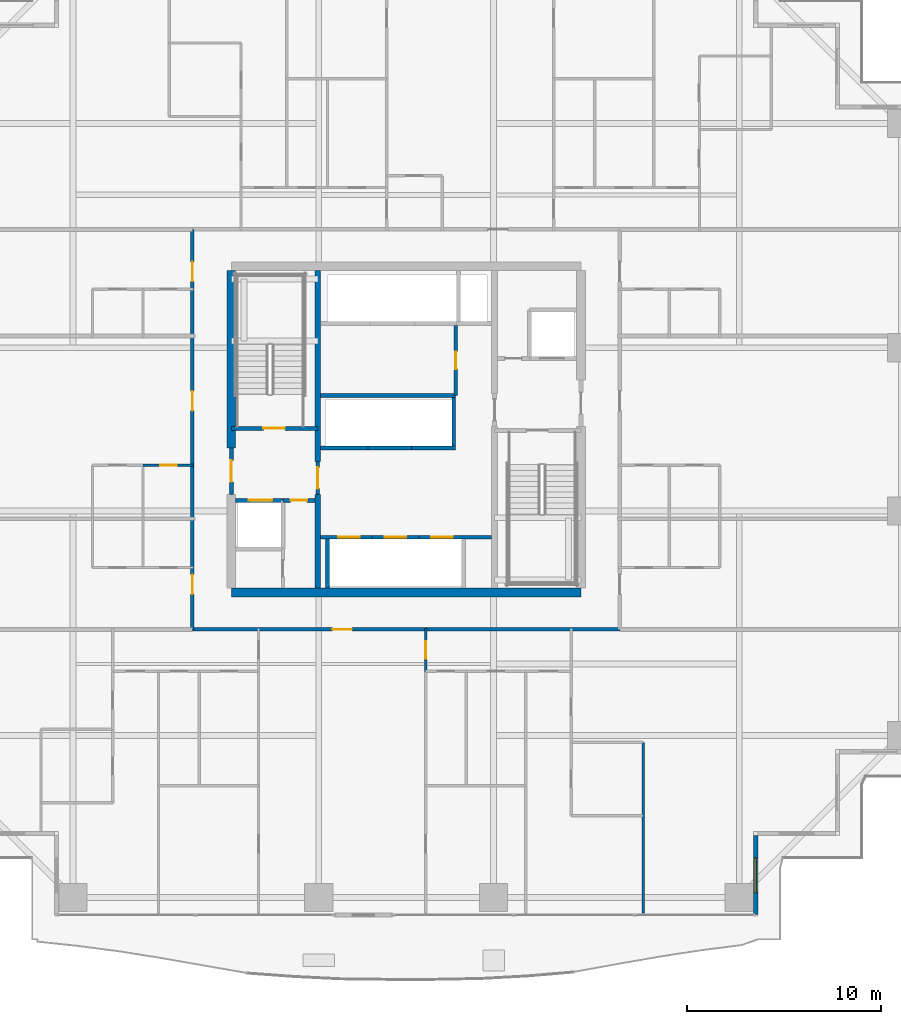
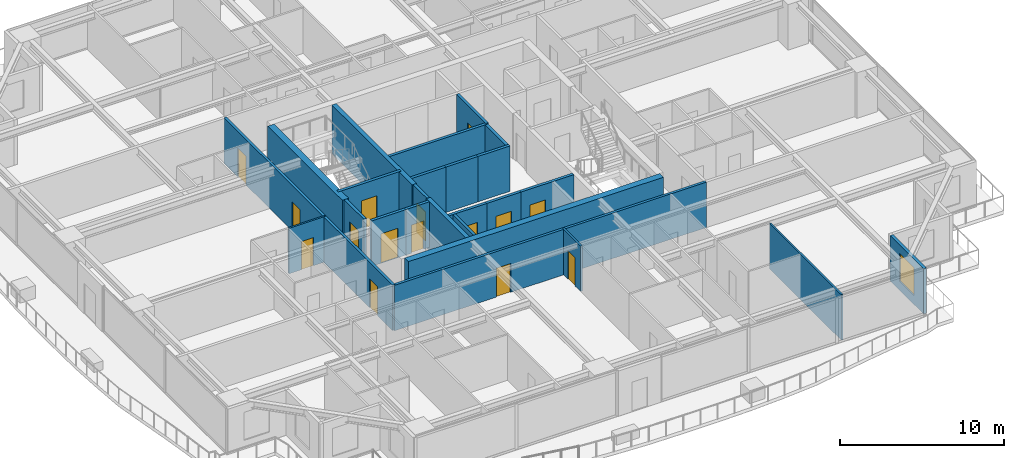
# One storey, part 28 of 40: 25 walls, 15 doors, 1 window, 16 openings.
"""IFC4 building model written with IfcOpenShell, lengths in metres."""

from ifc_helpers import new_model, si_unit, direction, frame, frame_2d, origin, place, context, subcontext, project, spatial, rectangle, extrude, source, transform, mapped, material, layer, layer_set, type_object, element, fill, save


model = new_model("IFC4")

# Units and contexts
model_context = context("Model", 3, precision=1e-05, world=origin(), true_north=direction((0.0, 1.0)))
body_context = subcontext(model_context, "Body", "Model", "MODEL_VIEW")
ifc_project = project(units=[si_unit("LENGTHUNIT", "METRE"), si_unit("AREAUNIT", "SQUARE_METRE"), si_unit("VOLUMEUNIT", "CUBIC_METRE"), si_unit("PLANEANGLEUNIT", "RADIAN"), si_unit("MASSUNIT", "GRAM", prefix="KILO")], contexts=[model_context])

# Site, building, storey
site_placement = place(None, origin())
site = spatial("IfcSite", under=ifc_project, at=site_placement, CompositionType="ELEMENT")
building_placement = place(site_placement, origin())
building = spatial("IfcBuilding", under=site, at=building_placement, Name="Serunith Strait Residences", CompositionType="ELEMENT")
storey_placement = place(building_placement, frame((0.0, 0.0, 105.449951171875)))
storey = spatial("IfcBuildingStorey", under=building, at=storey_placement, Name="L26", CompositionType="ELEMENT", Elevation=105.449951171875)

# Wall, opening, window
ifc_material_1 = material(Name="Pale-Champagne Aluminium Insulated Panel", Category="aluminium")
ifc_layer_1 = layer(ifc_material_1, 0.219970703125, Name="Pale-Champagne Aluminium Insulated Panel")
ifc_layer_set_1 = layer_set([ifc_layer_1], Name="Pale-Champagne Aluminium Insulated Panel")
wall_type_1 = type_object("IfcWallType", Name="EW-ALUM-220", PredefinedType="ELEMENTEDWALL", material=ifc_layer_set_1)
wall_1_placement = place(storey_placement, frame((50.39990234375, 0.199951171875, 0.0), z_axis=(0.0, 0.0, 1.0), x_axis=(0.0, 1.0, 0.0)))
wall_1 = element("IfcWall", 1, at=wall_1_placement, inside=storey, type_object=wall_type_1, Name="L26 Girih Serrated Corner Wall 02", PredefinedType="ELEMENTEDWALL", context=body_context, shape_type="SweptSolid", body=[
    extrude(rectangle(XDim=4.090087890625, YDim=0.219970703125, at=frame_2d((2.044921875, 0.0))), origin(), (0.0, 0.0, 1.0), 3.375),
])
opening_1_placement = place(wall_1_placement, frame((1.14501953125, 0.0, 0.64990234375)))
opening_1 = element("IfcOpeningElement", 2, at=opening_1_placement, cuts=wall_1, Name="Opening W-01", PredefinedType="OPENING", context=body_context, shape_type="SweptSolid", body=[
    extrude(rectangle(XDim=1.800048828125, YDim=2.10009765625, at=frame_2d((0.89990234375, 1.050048828125))), frame((0.0, 0.1201171875, 0.0), z_axis=(0.0, -1.0, 0.0), x_axis=(1.0, 0.0, 0.0)), (0.0, 0.0, 1.0), 0.239990234375),
])
ifc_material_2 = material(Name="Ceramic-Fritted Operable Aluminium Window Glass", Category="aluminium")
window_type = type_object("IfcWindowType", Name="WIN-C1", PartitioningType="DOUBLE_PANEL_VERTICAL", PredefinedType="WINDOW", material=ifc_material_2)
shared_shape_1 = source(origin(), body_context, "Body", "SweptSolid", [
    extrude(rectangle(XDim=1.800048828125, YDim=2.10009765625, at=frame_2d((0.89990234375, 1.050048828125))), frame((0.0, 0.030029296875, 0.0), z_axis=(0.0, -1.0, 0.0), x_axis=(1.0, 0.0, 0.0)), (0.0, 0.0, 1.0), 0.06005859375),
])
window_placement = place(opening_1_placement, origin())
window = element("IfcWindow", 3, at=window_placement, inside=storey, type_object=window_type, Name="L26 Corner Operable Fritted Window 02", OverallHeight=2.10009765625, OverallWidth=1.800048828125, PartitioningType="SINGLE_PANEL", PredefinedType="WINDOW", context=body_context, shape_type="MappedRepresentation", body=[
    mapped(shared_shape_1, transform((0.0, 0.0, 0.0), scale=1.0)),
])
fill(opening_1, window)

# Wall, opening, door
ifc_material_3 = material(Name="Fire-rated acoustic gypsum partition")
ifc_layer_2 = layer(ifc_material_3, 0.179931640625, Name="Fire-rated acoustic gypsum partition")
ifc_layer_set_2 = layer_set([ifc_layer_2], Name="Fire-rated acoustic gypsum partition")
wall_type_2 = type_object("IfcWallType", Name="IW-CORR-180", PredefinedType="PARTITIONING", material=ifc_layer_set_2)
wall_2_placement = place(storey_placement, frame((21.402099609375, 14.89990234375, 0.0), z_axis=(0.0, 0.0, 1.0), x_axis=(1.0, 0.0, 0.0)))
wall_2 = element("IfcWall", 4, at=wall_2_placement, inside=storey, type_object=wall_type_2, Name="L26 Partition Wall 022", PredefinedType="PARTITIONING", context=body_context, shape_type="SweptSolid", body=[
    extrude(rectangle(XDim=21.995849609375, YDim=0.179931640625, at=frame_2d((10.998046875, 0.0))), origin(), (0.0, 0.0, 1.0), 3.39013671875),
])
opening_2_placement = place(wall_2_placement, frame((7.201904296875, 0.0, 0.0)))
opening_2 = element("IfcOpeningElement", 5, at=opening_2_placement, cuts=wall_2, Name="Opening D-APT1000", PredefinedType="OPENING", context=body_context, shape_type="SweptSolid", body=[
    extrude(rectangle(XDim=1.0, YDim=2.14990234375, at=frame_2d((0.5, 1.074951171875))), frame((0.0, 0.10009765625, 0.0), z_axis=(0.0, -1.0, 0.0), x_axis=(1.0, 0.0, 0.0)), (0.0, 0.0, 1.0), 0.199951171875),
])
ifc_material_4 = material(Name="Solid timber engineered fire door", Category="wood")
door_type_1 = type_object("IfcDoorType", Name="ID-APT-1000", OperationType="NOTDEFINED", PredefinedType="DOOR", material=ifc_material_4)
shared_shape_2 = source(origin(), body_context, "Body", "SweptSolid", [
    extrude(rectangle(XDim=1.0, YDim=2.14990234375, at=frame_2d((0.5, 1.074951171875))), frame((0.0, 0.02490234375, 0.0), z_axis=(0.0, -1.0, 0.0), x_axis=(1.0, 0.0, 0.0)), (0.0, 0.0, 1.0), 0.050048828125),
])
door_1_placement = place(opening_2_placement, origin())
door_1 = element("IfcDoor", 6, at=door_1_placement, inside=storey, type_object=door_type_1, Name="L26 Unit 01 Entrance Door", OperationType="SINGLE_SWING_RIGHT", OverallHeight=2.14990234375, OverallWidth=1.0, PredefinedType="DOOR", context=body_context, shape_type="MappedRepresentation", body=[
    mapped(shared_shape_2, transform((0.0, 0.0, 0.0), scale=1.0)),
])
fill(opening_2, door_1)

# Wall, openings, doors
wall_3_placement = place(storey_placement, frame((21.39990234375, 14.89990234375, 0.0), z_axis=(0.0, 0.0, 1.0), x_axis=(0.0, 1.0, 0.0)))
wall_3 = element("IfcWall", 7, at=wall_3_placement, inside=storey, type_object=wall_type_2, Name="L26 Partition Wall 024", PredefinedType="PARTITIONING", context=body_context, shape_type="SweptSolid", body=[
    extrude(rectangle(XDim=20.60009765625, YDim=0.179931640625, at=frame_2d((10.300048828125, 0.0))), origin(), (0.0, 0.0, 1.0), 3.39013671875),
])
opening_3_placement = place(wall_3_placement, frame((1.820068359375, 0.0, 0.0)))
opening_3 = element("IfcOpeningElement", 8, at=opening_3_placement, cuts=wall_3, Name="Opening D-APT1000", PredefinedType="OPENING", context=body_context, shape_type="SweptSolid", body=[
    extrude(rectangle(XDim=1.0, YDim=2.14990234375, at=frame_2d((0.5, 1.074951171875))), frame((0.0, 0.10009765625, 0.0), z_axis=(0.0, -1.0, 0.0), x_axis=(1.0, 0.0, 0.0)), (0.0, 0.0, 1.0), 0.199951171875),
])
opening_4_placement = place(wall_3_placement, frame((11.27001953125, 0.0, 0.0)))
opening_4 = element("IfcOpeningElement", 9, at=opening_4_placement, cuts=wall_3, Name="Opening D-APT1000", PredefinedType="OPENING", context=body_context, shape_type="SweptSolid", body=[
    extrude(rectangle(XDim=1.0, YDim=2.14990234375, at=frame_2d((0.5, 1.074951171875))), frame((0.0, 0.10009765625, 0.0), z_axis=(0.0, -1.0, 0.0), x_axis=(1.0, 0.0, 0.0)), (0.0, 0.0, 1.0), 0.199951171875),
])
opening_5_placement = place(wall_3_placement, frame((17.919921875, 0.0, 0.0)))
opening_5 = element("IfcOpeningElement", 10, at=opening_5_placement, cuts=wall_3, Name="Opening D-APT1000", PredefinedType="OPENING", context=body_context, shape_type="SweptSolid", body=[
    extrude(rectangle(XDim=1.0, YDim=2.14990234375, at=frame_2d((0.5, 1.074951171875))), frame((0.0, 0.10009765625, 0.0), z_axis=(0.0, -1.0, 0.0), x_axis=(1.0, 0.0, 0.0)), (0.0, 0.0, 1.0), 0.199951171875),
])
door_2_placement = place(opening_3_placement, origin())
door_2 = element("IfcDoor", 11, at=door_2_placement, inside=storey, type_object=door_type_1, Name="L26 Unit 03 Entrance Door", OperationType="SINGLE_SWING_RIGHT", OverallHeight=2.14990234375, OverallWidth=1.0, PredefinedType="DOOR", context=body_context, shape_type="MappedRepresentation", body=[
    mapped(shared_shape_2, transform((0.0, 0.0, 0.0), scale=1.0)),
])
fill(opening_3, door_2)
door_3_placement = place(opening_4_placement, origin())
door_3 = element("IfcDoor", 12, at=door_3_placement, inside=storey, type_object=door_type_1, Name="L26 Unit 04 Entrance Door", OperationType="SINGLE_SWING_LEFT", OverallHeight=2.14990234375, OverallWidth=1.0, PredefinedType="DOOR", context=body_context, shape_type="MappedRepresentation", body=[
    mapped(shared_shape_2, transform((0.0, 0.0, 0.0), scale=1.0)),
])
fill(opening_4, door_3)
door_4_placement = place(opening_5_placement, origin())
door_4 = element("IfcDoor", 13, at=door_4_placement, inside=storey, type_object=door_type_1, Name="L26 Unit 05 Entrance Door", OperationType="SINGLE_SWING_RIGHT", OverallHeight=2.14990234375, OverallWidth=1.0, PredefinedType="DOOR", context=body_context, shape_type="MappedRepresentation", body=[
    mapped(shared_shape_2, transform((0.0, 0.0, 0.0), scale=1.0)),
])
fill(opening_5, door_4)

# Wall, opening, door
ifc_material_5 = material(Name="Lightweight steel-stud gypsum partition", Category="steel")
ifc_layer_3 = layer(ifc_material_5, 0.1201171875, Name="Lightweight steel-stud gypsum partition")
ifc_layer_set_3 = layer_set([ifc_layer_3], Name="Lightweight steel-stud gypsum partition")
wall_type_3 = type_object("IfcWallType", Name="IW-PART-120", PredefinedType="PARTITIONING", material=ifc_layer_set_3)
wall_4_placement = place(storey_placement, frame((33.39990234375, 12.75, 0.0), z_axis=(0.0, 0.0, 1.0), x_axis=(0.0, 1.0, 0.0)))
wall_4 = element("IfcWall", 14, at=wall_4_placement, inside=storey, type_object=wall_type_3, Name="L26 Partition Wall 041", PredefinedType="PARTITIONING", context=body_context, shape_type="SweptSolid", body=[
    extrude(rectangle(XDim=2.2099609375, YDim=0.1201171875, at=frame_2d((1.10498046875, 0.0))), origin(), (0.0, 0.0, 1.0), 3.39013671875),
])
opening_6_placement = place(wall_4_placement, frame((0.655029296875, 0.0, 0.0)))
opening_6 = element("IfcOpeningElement", 15, at=opening_6_placement, cuts=wall_4, Name="Opening D-RM900", PredefinedType="OPENING", context=body_context, shape_type="SweptSolid", body=[
    extrude(rectangle(XDim=0.89990234375, YDim=2.10009765625, at=frame_2d((0.449951171875, 1.050048828125))), frame((0.0, 0.070068359375, 0.0), z_axis=(0.0, -1.0, 0.0), x_axis=(1.0, 0.0, 0.0)), (0.0, 0.0, 1.0), 0.14013671875),
])
ifc_material_6 = material(Name="Engineered timber flush bedroom door", Category="wood")
door_type_2 = type_object("IfcDoorType", Name="ID-ROOM-900", OperationType="NOTDEFINED", PredefinedType="DOOR", material=ifc_material_6)
shared_shape_3 = source(origin(), body_context, "Body", "SweptSolid", [
    extrude(rectangle(XDim=0.89990234375, YDim=2.10009765625, at=frame_2d((0.449951171875, 1.050048828125))), frame((0.0, 0.02490234375, 0.0), z_axis=(0.0, -1.0, 0.0), x_axis=(1.0, 0.0, 0.0)), (0.0, 0.0, 1.0), 0.050048828125),
])
door_5_placement = place(opening_6_placement, origin())
door_5 = element("IfcDoor", 16, at=door_5_placement, inside=storey, type_object=door_type_2, Name="L26 Hall E 2601 Door", OperationType="SINGLE_SWING_LEFT", OverallHeight=2.10009765625, OverallWidth=0.89990234375, PredefinedType="DOOR", context=body_context, shape_type="MappedRepresentation", body=[
    mapped(shared_shape_3, transform((0.0, 0.0, 0.0), scale=1.0)),
])
fill(opening_6, door_5)

# Wall
wall_5_placement = place(storey_placement, frame((44.60009765625, 0.294921875, 0.0), z_axis=(0.0, 0.0, 1.0), x_axis=(0.0, 1.0, 0.0)))
element("IfcWall", 17, at=wall_5_placement, inside=storey, type_object=wall_type_3, Name="L26 Partition Wall 051", PredefinedType="PARTITIONING", context=body_context, shape_type="SweptSolid", body=[
    extrude(rectangle(XDim=8.798095703125, YDim=0.1201171875, at=frame_2d((4.39892578125, 0.0))), origin(), (0.0, 0.0, 1.0), 3.39013671875),
])

# Wall, opening, door
wall_6_placement = place(storey_placement, frame((18.85205078125, 23.35009765625, 0.0), z_axis=(0.0, 0.0, 1.0), x_axis=(1.0, 0.0, 0.0)))
wall_6 = element("IfcWall", 18, at=wall_6_placement, inside=storey, type_object=wall_type_3, Name="L26 Partition Wall 093", PredefinedType="PARTITIONING", context=body_context, shape_type="SweptSolid", body=[
    extrude(rectangle(XDim=2.60791015625, YDim=0.1201171875, at=frame_2d((1.303955078125, 0.0))), origin(), (0.0, 0.0, 1.0), 3.39013671875),
])
opening_7_placement = place(wall_6_placement, frame((0.87890625, 0.0, 0.0)))
opening_7 = element("IfcOpeningElement", 19, at=opening_7_placement, cuts=wall_6, Name="Opening D-BTH850", PredefinedType="OPENING", context=body_context, shape_type="SweptSolid", body=[
    extrude(rectangle(XDim=0.85009765625, YDim=2.10009765625, at=frame_2d((0.425048828125, 1.050048828125))), frame((0.0, 0.070068359375, 0.0), z_axis=(0.0, -1.0, 0.0), x_axis=(1.0, 0.0, 0.0)), (0.0, 0.0, 1.0), 0.14013671875),
])
ifc_material_7 = material(Name="Moisture-resistant timber bathroom door", Category="wood")
door_type_3 = type_object("IfcDoorType", Name="ID-BATH-850", OperationType="NOTDEFINED", PredefinedType="DOOR", material=ifc_material_7)
shared_shape_4 = source(origin(), body_context, "Body", "SweptSolid", [
    extrude(rectangle(XDim=0.85009765625, YDim=2.10009765625, at=frame_2d((0.425048828125, 1.050048828125))), frame((0.0, 0.02490234375, 0.0), z_axis=(0.0, -1.0, 0.0), x_axis=(1.0, 0.0, 0.0)), (0.0, 0.0, 1.0), 0.050048828125),
])
door_6_placement = place(opening_7_placement, origin())
door_6 = element("IfcDoor", 20, at=door_6_placement, inside=storey, type_object=door_type_3, Name="L26 Bathroom 2604 Door", OperationType="SINGLE_SWING_RIGHT", OverallHeight=2.10009765625, OverallWidth=0.85009765625, PredefinedType="DOOR", context=body_context, shape_type="MappedRepresentation", body=[
    mapped(shared_shape_4, transform((0.0, 0.0, 0.0), scale=1.0)),
])
fill(opening_7, door_6)

ifc_material_8 = material(Name="Autoclaved aerated concrete blockwork", Category="masonry")
ifc_layer_4 = layer(ifc_material_8, 0.199951171875, Name="Autoclaved aerated concrete blockwork")
ifc_layer_set_4 = layer_set([ifc_layer_4], Name="Autoclaved aerated concrete blockwork")
wall_type_4 = type_object("IfcWallType", Name="IW-SHAFT-200", PredefinedType="STANDARD", material=ifc_layer_set_4)
wall_7_placement = place(storey_placement, frame((23.39990234375, 25.25, 0.0), z_axis=(0.0, 0.0, 1.0), x_axis=(1.0, 0.0, 0.0)))
wall_7 = element("IfcWall", 21, at=wall_7_placement, inside=storey, type_object=wall_type_4, Name="L26 ST-1 South Shaft Wall", PredefinedType="STANDARD", context=body_context, shape_type="SweptSolid", body=[
    extrude(rectangle(XDim=4.4501953125, YDim=0.199951171875, at=frame_2d((2.22509765625, 0.0))), origin(), (0.0, 0.0, 1.0), 3.39013671875),
])
opening_8_placement = place(wall_7_placement, frame((1.64990234375, 0.0, 0.0)))
opening_8 = element("IfcOpeningElement", 22, at=opening_8_placement, cuts=wall_7, Name="Opening FD-1100", PredefinedType="OPENING", context=body_context, shape_type="SweptSolid", body=[
    extrude(rectangle(XDim=1.10009765625, YDim=2.14990234375, at=frame_2d((0.550048828125, 1.074951171875))), frame((0.0, 0.10986328125, 0.0), z_axis=(0.0, -1.0, 0.0), x_axis=(1.0, 0.0, 0.0)), (0.0, 0.0, 1.0), 0.219970703125),
])
ifc_material_9 = material(Name="Galvanised steel fire door leaf", Category="steel")
door_type_4 = type_object("IfcDoorType", Name="FD-STAIR-1100", OperationType="NOTDEFINED", PredefinedType="DOOR", material=ifc_material_9)
shared_shape_5 = source(origin(), body_context, "Body", "SweptSolid", [
    extrude(rectangle(XDim=1.10009765625, YDim=2.14990234375, at=frame_2d((0.550048828125, 1.074951171875))), frame((0.0, 0.02490234375, 0.0), z_axis=(0.0, -1.0, 0.0), x_axis=(1.0, 0.0, 0.0)), (0.0, 0.0, 1.0), 0.050048828125),
])
door_7_placement = place(opening_8_placement, origin())
door_7 = element("IfcDoor", 23, at=door_7_placement, inside=storey, type_object=door_type_4, Name="L26 ST-1 Escape Stair Door", OperationType="SINGLE_SWING_RIGHT", OverallHeight=2.14990234375, OverallWidth=1.10009765625, PredefinedType="DOOR", context=body_context, shape_type="MappedRepresentation", body=[
    mapped(shared_shape_5, transform((0.0, 0.0, 0.0), scale=1.0)),
])
fill(opening_8, door_7)

wall_8_placement = place(storey_placement, frame((23.625, 21.550048828125, 0.0), z_axis=(0.0, 0.0, 1.0), x_axis=(1.0, 0.0, 0.0)))
wall_8 = element("IfcWall", 24, at=wall_8_placement, inside=storey, type_object=wall_type_4, Name="L26 FL-1 North Shaft Wall", PredefinedType="STANDARD", context=body_context, shape_type="SweptSolid", body=[
    extrude(rectangle(XDim=2.425048828125, YDim=0.199951171875, at=frame_2d((1.21240234375, 0.0))), origin(), (0.0, 0.0, 1.0), 3.39013671875),
])
opening_9_placement = place(wall_8_placement, frame((0.675048828125, 0.0, 0.0)))
opening_9 = element("IfcOpeningElement", 25, at=opening_9_placement, cuts=wall_8, Name="Opening LD-FF1200", PredefinedType="OPENING", context=body_context, shape_type="SweptSolid", body=[
    extrude(rectangle(XDim=1.199951171875, YDim=2.199951171875, at=frame_2d((0.60009765625, 1.10009765625))), frame((0.0, 0.10986328125, 0.0), z_axis=(0.0, -1.0, 0.0), x_axis=(1.0, 0.0, 0.0)), (0.0, 0.0, 1.0), 0.219970703125),
])
ifc_material_10 = material(Name="Brushed stainless steel landing door", Category="steel")
door_type_5 = type_object("IfcDoorType", Name="LD-FF-1200", OperationType="DOUBLE_DOOR_SLIDING", PredefinedType="DOOR", material=ifc_material_10)
shared_shape_6 = source(origin(), body_context, "Body", "SweptSolid", [
    extrude(rectangle(XDim=1.199951171875, YDim=2.199951171875, at=frame_2d((0.60009765625, 1.10009765625))), frame((0.0, 0.02490234375, 0.0), z_axis=(0.0, -1.0, 0.0), x_axis=(1.0, 0.0, 0.0)), (0.0, 0.0, 1.0), 0.050048828125),
])
door_8_placement = place(opening_9_placement, origin())
door_8 = element("IfcDoor", 26, at=door_8_placement, inside=storey, type_object=door_type_5, Name="L26 FL-1 Landing Door", OperationType="DOUBLE_DOOR_SLIDING", OverallHeight=2.199951171875, OverallWidth=1.199951171875, PredefinedType="DOOR", context=body_context, shape_type="MappedRepresentation", body=[
    mapped(shared_shape_6, transform((0.0, 0.0, 0.0), scale=1.0)),
])
fill(opening_9, door_8)

wall_9_placement = place(storey_placement, frame((28.0, 19.64990234375, 0.0), z_axis=(0.0, 0.0, 1.0), x_axis=(1.0, 0.0, 0.0)))
wall_9 = element("IfcWall", 27, at=wall_9_placement, inside=storey, type_object=wall_type_4, Name="L26 PL-1 North Shaft Wall", PredefinedType="STANDARD", context=body_context, shape_type="SweptSolid", body=[
    extrude(rectangle(XDim=2.64990234375, YDim=0.199951171875, at=frame_2d((1.324951171875, 0.0))), origin(), (0.0, 0.0, 1.0), 3.39013671875),
])
opening_10_placement = place(wall_9_placement, frame((0.89990234375, 0.0, 0.0)))
opening_10 = element("IfcOpeningElement", 28, at=opening_10_placement, cuts=wall_9, Name="Opening LD-1100", PredefinedType="OPENING", context=body_context, shape_type="SweptSolid", body=[
    extrude(rectangle(XDim=1.10009765625, YDim=2.199951171875, at=frame_2d((0.550048828125, 1.10009765625))), frame((0.0, 0.10986328125, 0.0), z_axis=(0.0, -1.0, 0.0), x_axis=(1.0, 0.0, 0.0)), (0.0, 0.0, 1.0), 0.219970703125),
])
ifc_material_11 = material(Name="Pale-champagne stainless landing door")
door_type_6 = type_object("IfcDoorType", Name="LD-LIFT-1100", OperationType="DOUBLE_DOOR_SLIDING", PredefinedType="DOOR", material=ifc_material_11)
shared_shape_7 = source(origin(), body_context, "Body", "SweptSolid", [
    extrude(rectangle(XDim=1.10009765625, YDim=2.199951171875, at=frame_2d((0.550048828125, 1.10009765625))), frame((0.0, 0.02490234375, 0.0), z_axis=(0.0, -1.0, 0.0), x_axis=(1.0, 0.0, 0.0)), (0.0, 0.0, 1.0), 0.050048828125),
])
door_9_placement = place(opening_10_placement, origin())
door_9 = element("IfcDoor", 29, at=door_9_placement, inside=storey, type_object=door_type_6, Name="L26 PL-1 Landing Door", OperationType="DOUBLE_DOOR_SLIDING", OverallHeight=2.199951171875, OverallWidth=1.10009765625, PredefinedType="DOOR", context=body_context, shape_type="MappedRepresentation", body=[
    mapped(shared_shape_7, transform((0.0, 0.0, 0.0), scale=1.0)),
])
fill(opening_10, door_9)

# Wall
wall_10_placement = place(storey_placement, frame((28.35009765625, 17.02490234375, 0.0), z_axis=(0.0, 0.0, 1.0), x_axis=(0.0, 1.0, 0.0)))
element("IfcWall", 30, at=wall_10_placement, inside=storey, type_object=wall_type_4, Name="L26 PL-1 West Shaft Wall", PredefinedType="STANDARD", context=body_context, shape_type="SweptSolid", body=[
    extrude(rectangle(XDim=2.525146484375, YDim=0.199951171875, at=frame_2d((1.2626953125, 0.0))), origin(), (0.0, 0.0, 1.0), 3.39013671875),
])

# Wall, opening, door
wall_11_placement = place(storey_placement, frame((30.64990234375, 19.64990234375, 0.0), z_axis=(0.0, 0.0, 1.0), x_axis=(1.0, 0.0, 0.0)))
wall_11 = element("IfcWall", 31, at=wall_11_placement, inside=storey, type_object=wall_type_4, Name="L26 PL-2 North Shaft Wall", PredefinedType="STANDARD", context=body_context, shape_type="SweptSolid", body=[
    extrude(rectangle(XDim=2.400146484375, YDim=0.199951171875, at=frame_2d((1.2001953125, 0.0))), origin(), (0.0, 0.0, 1.0), 3.39013671875),
])
opening_11_placement = place(wall_11_placement, frame((0.64990234375, 0.0, 0.0)))
opening_11 = element("IfcOpeningElement", 32, at=opening_11_placement, cuts=wall_11, Name="Opening LD-1100", PredefinedType="OPENING", context=body_context, shape_type="SweptSolid", body=[
    extrude(rectangle(XDim=1.10009765625, YDim=2.199951171875, at=frame_2d((0.550048828125, 1.10009765625))), frame((0.0, 0.10986328125, 0.0), z_axis=(0.0, -1.0, 0.0), x_axis=(1.0, 0.0, 0.0)), (0.0, 0.0, 1.0), 0.219970703125),
])
door_10_placement = place(opening_11_placement, origin())
door_10 = element("IfcDoor", 33, at=door_10_placement, inside=storey, type_object=door_type_6, Name="L26 PL-2 Landing Door", OperationType="DOUBLE_DOOR_SLIDING", OverallHeight=2.199951171875, OverallWidth=1.10009765625, PredefinedType="DOOR", context=body_context, shape_type="MappedRepresentation", body=[
    mapped(shared_shape_7, transform((0.0, 0.0, 0.0), scale=1.0)),
])
fill(opening_11, door_10)

wall_12_placement = place(storey_placement, frame((33.050048828125, 19.64990234375, 0.0), z_axis=(0.0, 0.0, 1.0), x_axis=(1.0, 0.0, 0.0)))
wall_12 = element("IfcWall", 34, at=wall_12_placement, inside=storey, type_object=wall_type_4, Name="L26 PL-3 North Shaft Wall", PredefinedType="STANDARD", context=body_context, shape_type="SweptSolid", body=[
    extrude(rectangle(XDim=3.75, YDim=0.199951171875, at=frame_2d((1.875, 0.0))), origin(), (0.0, 0.0, 1.0), 3.39013671875),
])
opening_12_placement = place(wall_12_placement, frame((0.64990234375, 0.0, 0.0)))
opening_12 = element("IfcOpeningElement", 35, at=opening_12_placement, cuts=wall_12, Name="Opening LD-1100", PredefinedType="OPENING", context=body_context, shape_type="SweptSolid", body=[
    extrude(rectangle(XDim=1.10009765625, YDim=2.199951171875, at=frame_2d((0.550048828125, 1.10009765625))), frame((0.0, 0.10986328125, 0.0), z_axis=(0.0, -1.0, 0.0), x_axis=(1.0, 0.0, 0.0)), (0.0, 0.0, 1.0), 0.219970703125),
])
door_11_placement = place(opening_12_placement, origin())
door_11 = element("IfcDoor", 36, at=door_11_placement, inside=storey, type_object=door_type_6, Name="L26 PL-3 Landing Door", OperationType="DOUBLE_DOOR_SLIDING", OverallHeight=2.199951171875, OverallWidth=1.10009765625, PredefinedType="DOOR", context=body_context, shape_type="MappedRepresentation", body=[
    mapped(shared_shape_7, transform((0.0, 0.0, 0.0), scale=1.0)),
])
fill(opening_12, door_11)

# Walls
wall_13_placement = place(storey_placement, frame((28.0, 24.25, 0.0), z_axis=(0.0, 0.0, 1.0), x_axis=(1.0, 0.0, 0.0)))
element("IfcWall", 37, at=wall_13_placement, inside=storey, type_object=wall_type_4, Name="L26 PL-4 South Shaft Wall", PredefinedType="STANDARD", context=body_context, shape_type="SweptSolid", body=[
    extrude(rectangle(XDim=2.425048828125, YDim=0.199951171875, at=frame_2d((1.21240234375, 0.0))), origin(), (0.0, 0.0, 1.0), 3.39013671875),
])
wall_14_placement = place(storey_placement, frame((30.425048828125, 24.25, 0.0), z_axis=(0.0, 0.0, 1.0), x_axis=(1.0, 0.0, 0.0)))
element("IfcWall", 38, at=wall_14_placement, inside=storey, type_object=wall_type_4, Name="L26 PL-5 South Shaft Wall", PredefinedType="STANDARD", context=body_context, shape_type="SweptSolid", body=[
    extrude(rectangle(XDim=2.25, YDim=0.199951171875, at=frame_2d((1.125, 0.0))), origin(), (0.0, 0.0, 1.0), 3.39013671875),
])
wall_15_placement = place(storey_placement, frame((32.675048828125, 24.25, 0.0), z_axis=(0.0, 0.0, 1.0), x_axis=(1.0, 0.0, 0.0)))
element("IfcWall", 39, at=wall_15_placement, inside=storey, type_object=wall_type_4, Name="L26 PL-6 South Shaft Wall", PredefinedType="STANDARD", context=body_context, shape_type="SweptSolid", body=[
    extrude(rectangle(XDim=2.27490234375, YDim=0.199951171875, at=frame_2d((1.137451171875, 0.0))), origin(), (0.0, 0.0, 1.0), 3.39013671875),
])
wall_16_placement = place(storey_placement, frame((34.85009765625, 24.35009765625, 0.0), z_axis=(0.0, 0.0, 1.0), x_axis=(0.0, 1.0, 0.0)))
element("IfcWall", 40, at=wall_16_placement, inside=storey, type_object=wall_type_4, Name="L26 PL-6 East Shaft Wall", PredefinedType="STANDARD", context=body_context, shape_type="SweptSolid", body=[
    extrude(rectangle(XDim=2.5, YDim=0.199951171875, at=frame_2d((1.25, 0.0))), origin(), (0.0, 0.0, 1.0), 3.39013671875),
])

# Wall, opening, door
wall_17_placement = place(storey_placement, frame((26.052001953125, 21.550048828125, 0.0), z_axis=(0.0, 0.0, 1.0), x_axis=(1.0, 0.0, 0.0)))
wall_17 = element("IfcWall", 41, at=wall_17_placement, inside=storey, type_object=wall_type_4, Name="L26 Partition Wall 003", PredefinedType="STANDARD", context=body_context, shape_type="SweptSolid", body=[
    extrude(rectangle(XDim=1.64794921875, YDim=0.199951171875, at=frame_2d((0.823974609375, 0.0))), origin(), (0.0, 0.0, 1.0), 3.39013671875),
])
opening_13_placement = place(wall_17_placement, frame((0.39892578125, 0.0, 0.0)))
opening_13 = element("IfcOpeningElement", 42, at=opening_13_placement, cuts=wall_17, Name="Opening FD-850", PredefinedType="OPENING", context=body_context, shape_type="SweptSolid", body=[
    extrude(rectangle(XDim=0.85009765625, YDim=2.10009765625, at=frame_2d((0.425048828125, 1.050048828125))), frame((0.0, 0.10986328125, 0.0), z_axis=(0.0, -1.0, 0.0), x_axis=(1.0, 0.0, 0.0)), (0.0, 0.0, 1.0), 0.219970703125),
])
ifc_material_12 = material(Name="Powder-coated steel service closet door", Category="steel")
door_type_7 = type_object("IfcDoorType", Name="FD-BOH-850", OperationType="NOTDEFINED", PredefinedType="DOOR", material=ifc_material_12)
door_12_placement = place(opening_13_placement, origin())
door_12 = element("IfcDoor", 43, at=door_12_placement, inside=storey, type_object=door_type_7, Name="L26 South-West Core Service Door", OperationType="SINGLE_SWING_RIGHT", OverallHeight=2.10009765625, OverallWidth=0.85009765625, PredefinedType="DOOR", context=body_context, shape_type="MappedRepresentation", body=[
    mapped(shared_shape_4, transform((0.0, 0.0, 0.0), scale=1.0)),
])
fill(opening_13, door_12)

wall_18_placement = place(storey_placement, frame((23.39990234375, 21.85205078125, 0.0), z_axis=(0.0, 0.0, 1.0), x_axis=(0.0, 1.0, 0.0)))
wall_18 = element("IfcWall", 44, at=wall_18_placement, inside=storey, type_object=wall_type_4, Name="L26 Partition Wall 007", PredefinedType="STANDARD", context=body_context, shape_type="SweptSolid", body=[
    extrude(rectangle(XDim=2.39599609375, YDim=0.199951171875, at=frame_2d((1.197998046875, 0.0))), origin(), (0.0, 0.0, 1.0), 3.39013671875),
])
opening_14_placement = place(wall_18_placement, frame((0.64794921875, 0.0, 0.0)))
opening_14 = element("IfcOpeningElement", 45, at=opening_14_placement, cuts=wall_18, Name="Opening FD-FFL", PredefinedType="OPENING", context=body_context, shape_type="SweptSolid", body=[
    extrude(rectangle(XDim=1.10009765625, YDim=2.14990234375, at=frame_2d((0.550048828125, 1.074951171875))), frame((0.0, 0.10986328125, 0.0), z_axis=(0.0, -1.0, 0.0), x_axis=(1.0, 0.0, 0.0)), (0.0, 0.0, 1.0), 0.219970703125),
])
ifc_material_13 = material(Name="Glazed steel smoke-lobby fire door", Category="steel")
door_type_8 = type_object("IfcDoorType", Name="FD-FFL-1100", OperationType="NOTDEFINED", PredefinedType="DOOR", material=ifc_material_13)
door_13_placement = place(opening_14_placement, origin())
door_13 = element("IfcDoor", 46, at=door_13_placement, inside=storey, type_object=door_type_8, Name="L26 FFL-1 Corridor Fire Door", OperationType="SINGLE_SWING_RIGHT", OverallHeight=2.14990234375, OverallWidth=1.10009765625, PredefinedType="DOOR", context=body_context, shape_type="MappedRepresentation", body=[
    mapped(shared_shape_5, transform((0.0, 0.0, 0.0), scale=1.0)),
])
fill(opening_14, door_13)

wall_19_placement = place(storey_placement, frame((27.85009765625, 21.85205078125, 0.0), z_axis=(0.0, 0.0, 1.0), x_axis=(0.0, 1.0, 0.0)))
wall_19 = element("IfcWall", 47, at=wall_19_placement, inside=storey, type_object=wall_type_4, Name="L26 Partition Wall 009", PredefinedType="STANDARD", context=body_context, shape_type="SweptSolid", body=[
    extrude(rectangle(XDim=1.696044921875, YDim=0.199951171875, at=frame_2d((0.84814453125, 0.0))), origin(), (0.0, 0.0, 1.0), 3.39013671875),
])
opening_15_placement = place(wall_19_placement, frame((0.298095703125, 0.0, 0.0)))
opening_15 = element("IfcOpeningElement", 48, at=opening_15_placement, cuts=wall_19, Name="Opening FD-FFL", PredefinedType="OPENING", context=body_context, shape_type="SweptSolid", body=[
    extrude(rectangle(XDim=1.10009765625, YDim=2.14990234375, at=frame_2d((0.550048828125, 1.074951171875))), frame((0.0, 0.10986328125, 0.0), z_axis=(0.0, -1.0, 0.0), x_axis=(1.0, 0.0, 0.0)), (0.0, 0.0, 1.0), 0.219970703125),
])
door_14_placement = place(opening_15_placement, origin())
door_14 = element("IfcDoor", 49, at=door_14_placement, inside=storey, type_object=door_type_8, Name="L26 FFL-1 Lift Lobby Door", OperationType="SINGLE_SWING_RIGHT", OverallHeight=2.14990234375, OverallWidth=1.10009765625, PredefinedType="DOOR", context=body_context, shape_type="MappedRepresentation", body=[
    mapped(shared_shape_5, transform((0.0, 0.0, 0.0), scale=1.0)),
])
fill(opening_15, door_14)

# Wall
wall_20_placement = place(storey_placement, frame((28.0, 26.949951171875, 0.0), z_axis=(0.0, 0.0, 1.0), x_axis=(1.0, 0.0, 0.0)))
element("IfcWall", 50, at=wall_20_placement, inside=storey, type_object=wall_type_4, Name="L26 Partition Wall 011", PredefinedType="STANDARD", context=body_context, shape_type="SweptSolid", body=[
    extrude(rectangle(XDim=6.949951171875, YDim=0.199951171875, at=frame_2d((3.47509765625, 0.0))), origin(), (0.0, 0.0, 1.0), 3.39013671875),
])

# Wall, opening, door
wall_21_placement = place(storey_placement, frame((34.949951171875, 26.949951171875, 0.0), z_axis=(0.0, 0.0, 1.0), x_axis=(0.0, 1.0, 0.0)))
wall_21 = element("IfcWall", 51, at=wall_21_placement, inside=storey, type_object=wall_type_4, Name="L26 Partition Wall 013", PredefinedType="STANDARD", context=body_context, shape_type="SweptSolid", body=[
    extrude(rectangle(XDim=3.60009765625, YDim=0.199951171875, at=frame_2d((1.800048828125, 0.0))), origin(), (0.0, 0.0, 1.0), 3.39013671875),
])
opening_16_placement = place(wall_21_placement, frame((1.35009765625, 0.0, 0.0)))
opening_16 = element("IfcOpeningElement", 52, at=opening_16_placement, cuts=wall_21, Name="Opening FD-900", PredefinedType="OPENING", context=body_context, shape_type="SweptSolid", body=[
    extrude(rectangle(XDim=0.89990234375, YDim=2.10009765625, at=frame_2d((0.449951171875, 1.050048828125))), frame((0.0, 0.10986328125, 0.0), z_axis=(0.0, -1.0, 0.0), x_axis=(1.0, 0.0, 0.0)), (0.0, 0.0, 1.0), 0.219970703125),
])
ifc_material_14 = material(Name="Powder-coated steel riser door", Category="steel")
door_type_9 = type_object("IfcDoorType", Name="FD-BOH-900", OperationType="NOTDEFINED", PredefinedType="DOOR", material=ifc_material_14)
door_15_placement = place(opening_16_placement, origin())
door_15 = element("IfcDoor", 53, at=door_15_placement, inside=storey, type_object=door_type_9, Name="L26 Core Switchroom Door", OperationType="SINGLE_SWING_LEFT", OverallHeight=2.10009765625, OverallWidth=0.89990234375, PredefinedType="DOOR", context=body_context, shape_type="MappedRepresentation", body=[
    mapped(shared_shape_3, transform((0.0, 0.0, 0.0), scale=1.0)),
])
fill(opening_16, door_15)

# Walls
ifc_material_15 = material(Name="Concrete C80/95", Category="concrete")
ifc_layer_5 = layer(ifc_material_15, 0.300048828125, Name="Concrete C80/95")
ifc_layer_set_5 = layer_set([ifc_layer_5], Name="Concrete C80/95")
wall_type_5 = type_object("IfcWallType", Name="SW-300-C80", PredefinedType="SHEAR", material=ifc_layer_set_5)
wall_22_placement = place(storey_placement, frame((27.85009765625, 17.02490234375, -0.260009765625), z_axis=(0.0, 0.0, 1.0), x_axis=(0.0, 1.0, 0.0)))
element("IfcWall", 54, at=wall_22_placement, inside=storey, type_object=wall_type_5, Name="L26 Core Internal West Web South Pier", PredefinedType="SHEAR", context=body_context, shape_type="SweptSolid", body=[
    extrude(rectangle(XDim=4.8251953125, YDim=0.300048828125, at=frame_2d((2.41259765625, 0.0))), origin(), (0.0, 0.0, 1.0), 3.64794921875),
])
wall_23_placement = place(storey_placement, frame((27.85009765625, 23.550048828125, -0.260009765625), z_axis=(0.0, 0.0, 1.0), x_axis=(0.0, 1.0, 0.0)))
element("IfcWall", 55, at=wall_23_placement, inside=storey, type_object=wall_type_5, Name="L26 Core Internal West Web North Pier", PredefinedType="SHEAR", context=body_context, shape_type="SweptSolid", body=[
    extrude(rectangle(XDim=9.824951171875, YDim=0.300048828125, at=frame_2d((4.91259765625, 0.0))), origin(), (0.0, 0.0, 1.0), 3.64794921875),
])
ifc_layer_6 = layer(ifc_material_15, 0.449951171875, Name="Concrete C80/95")
ifc_layer_set_6 = layer_set([ifc_layer_6], Name="Concrete C80/95")
wall_type_6 = type_object("IfcWallType", Name="SW-450-C80", PredefinedType="SHEAR", material=ifc_layer_set_6)
wall_24_placement = place(storey_placement, frame((23.39990234375, 16.800048828125, -0.260009765625), z_axis=(0.0, 0.0, 1.0), x_axis=(1.0, 0.0, 0.0)))
element("IfcWall", 56, at=wall_24_placement, inside=storey, type_object=wall_type_6, Name="L26 Core South Shear Wall", PredefinedType="SHEAR", context=body_context, shape_type="SweptSolid", body=[
    extrude(rectangle(XDim=18.0, YDim=0.449951171875, at=frame_2d((9.0, 0.0))), origin(), (0.0, 0.0, 1.0), 3.64794921875),
])
wall_25_placement = place(storey_placement, frame((23.39990234375, 24.25, -0.260009765625), z_axis=(0.0, 0.0, 1.0), x_axis=(0.0, 1.0, 0.0)))
element("IfcWall", 57, at=wall_25_placement, inside=storey, type_object=wall_type_6, Name="L26 Core West Shear Wall North Pier", PredefinedType="SHEAR", context=body_context, shape_type="SweptSolid", body=[
    extrude(rectangle(XDim=9.125, YDim=0.449951171875, at=frame_2d((4.5625, 0.0))), origin(), (0.0, 0.0, 1.0), 3.64794921875),
])

save(model, "model.ifc")
